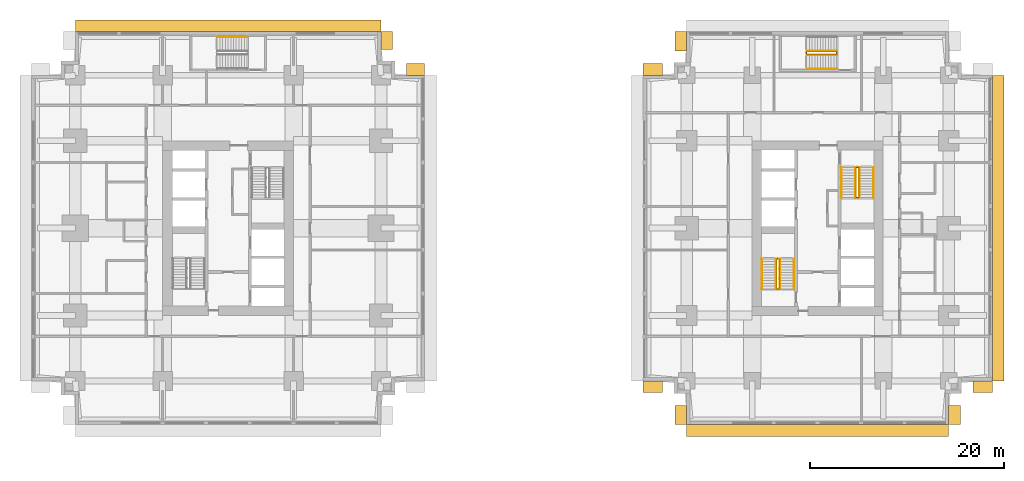
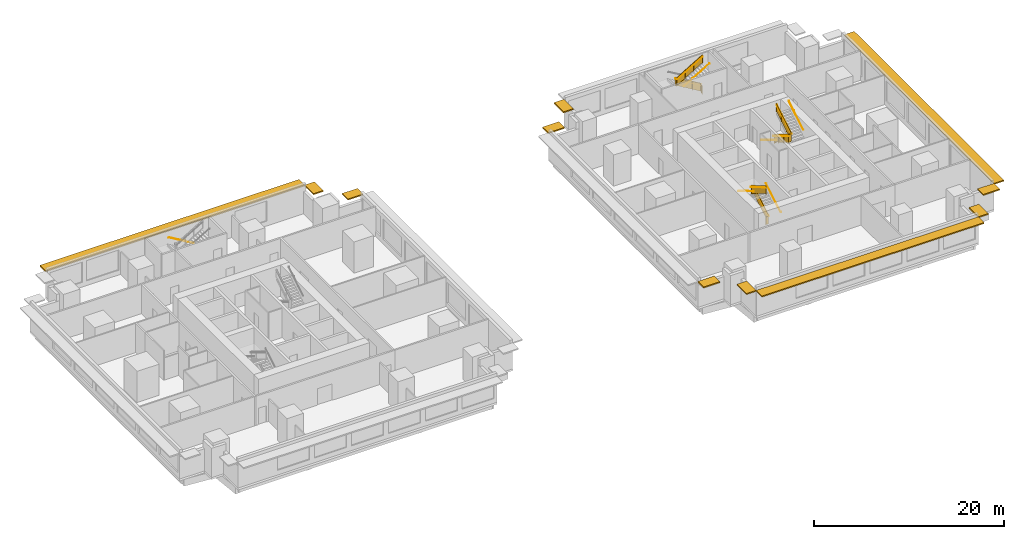
# One storey, part 10 of 11: 15 railings, 11 shading devices.
"""IFC4 building model written with IfcOpenShell, lengths in metres."""

from ifc_helpers import new_model, si_unit, direction, frame, origin, origin_2d, place, context, subcontext, project, spatial, polyline, rectangle, circle, outline, extrude, material, layer, layer_set, type_object, element, save


model = new_model("IFC4")

# Units and contexts
model_context = context("Model", 3, precision=1e-05, world=origin(), true_north=direction((0.0, 1.0)))
body_context = subcontext(model_context, "Body", "Model", "MODEL_VIEW")
ifc_project = project(units=[si_unit("LENGTHUNIT", "METRE"), si_unit("AREAUNIT", "SQUARE_METRE"), si_unit("VOLUMEUNIT", "CUBIC_METRE"), si_unit("PLANEANGLEUNIT", "RADIAN"), si_unit("MASSUNIT", "GRAM", prefix="KILO")], contexts=[model_context])

# Site, building, storey
site_placement = place(None, origin())
site = spatial("IfcSite", under=ifc_project, at=site_placement, CompositionType="ELEMENT")
building_placement = place(site_placement, origin())
building = spatial("IfcBuilding", under=site, at=building_placement, Name="Namib Vertical Campus", CompositionType="ELEMENT")
storey_placement = place(building_placement, frame((0.0, 0.0, 53.0)))
storey = spatial("IfcBuildingStorey", under=building, at=storey_placement, Name="L12", CompositionType="ELEMENT", Elevation=53.0)

# Railings
ifc_material_1 = material(Name="Steel handrail", Category="steel")
railing_type_1 = type_object("IfcRailingType", Name="Handrail 900", PredefinedType="HANDRAIL", material=ifc_material_1)
railing_1_placement = place(storey_placement, frame((78.550048828125, 14.0, 0.166748046875)))
element("IfcRailing", 1, at=railing_1_placement, inside=storey, type_object=railing_type_1, Name="Handrail HR1 B-S1 L12 1", PredefinedType="HANDRAIL", context=body_context, shape_type="SweptSolid", body=[
    extrude(circle(Radius=0.02392578125, at=origin_2d()), frame((0.0, 0.0, 0.8759765625), z_axis=(0.0, 0.859308565015, 0.511457515432), x_axis=(-1.0, 0.0, 0.0)), (0.0, 0.0, 1.0), 3.58447265625),
    extrude(circle(Radius=0.008056640625, at=origin_2d()), frame((0.0, 0.0, 0.8759765625), z_axis=(1.0, 0.0, 0.0), x_axis=(0.0, 0.0, 1.0)), (0.0, 0.0, 1.0), 0.050048828125),
    extrude(circle(Radius=0.008056640625, at=origin_2d()), frame((0.0, 1.026611328125, 1.48681640625), z_axis=(1.0, 0.0, 0.0), x_axis=(0.0, 0.0, 1.0)), (0.0, 0.0, 1.0), 0.050048828125),
    extrude(circle(Radius=0.008056640625, at=origin_2d()), frame((0.0, 2.053466796875, 2.09814453125), z_axis=(1.0, 0.0, 0.0), x_axis=(0.0, 0.0, 1.0)), (0.0, 0.0, 1.0), 0.050048828125),
    extrude(circle(Radius=0.008056640625, at=origin_2d()), frame((0.0, 3.080078125, 2.708984375), z_axis=(1.0, 0.0, 0.0), x_axis=(0.0, 0.0, 1.0)), (0.0, 0.0, 1.0), 0.050048828125),
])
railing_2_placement = place(storey_placement, frame((75.25, 17.080078125, 2.166748046875)))
element("IfcRailing", 2, at=railing_2_placement, inside=storey, type_object=railing_type_1, Name="Handrail HR1 B-S1 L12 2", PredefinedType="HANDRAIL", context=body_context, shape_type="SweptSolid", body=[
    extrude(circle(Radius=0.02392578125, at=origin_2d()), frame((0.0, 0.0, 0.8759765625), z_axis=(0.0, -0.859308565015, 0.511457515432), x_axis=(1.0, 0.0, 0.0)), (0.0, 0.0, 1.0), 3.58447265625),
    extrude(circle(Radius=0.008056640625, at=origin_2d()), frame((0.0, 0.0, 0.8759765625), z_axis=(-1.0, 0.0, 0.0), x_axis=(0.0, 0.0, 1.0)), (0.0, 0.0, 1.0), 0.050048828125),
    extrude(circle(Radius=0.008056640625, at=origin_2d()), frame((0.0, -1.026611328125, 1.48681640625), z_axis=(-1.0, 0.0, 0.0), x_axis=(0.0, 0.0, 1.0)), (0.0, 0.0, 1.0), 0.050048828125),
    extrude(circle(Radius=0.008056640625, at=origin_2d()), frame((0.0, -2.053466796875, 2.09814453125), z_axis=(-1.0, 0.0, 0.0), x_axis=(0.0, 0.0, 1.0)), (0.0, 0.0, 1.0), 0.050048828125),
    extrude(circle(Radius=0.008056640625, at=origin_2d()), frame((0.0, -3.080078125, 2.708984375), z_axis=(-1.0, 0.0, 0.0), x_axis=(0.0, 0.0, 1.0)), (0.0, 0.0, 1.0), 0.050048828125),
])
railing_3_placement = place(storey_placement, frame((77.10009765625, 14.0, 0.166748046875)))
element("IfcRailing", 3, at=railing_3_placement, inside=storey, type_object=railing_type_1, Name="Handrail HR1 B-S1 L12 1 at the well", PredefinedType="HANDRAIL", context=body_context, shape_type="SweptSolid", body=[
    extrude(circle(Radius=0.02392578125, at=origin_2d()), frame((0.0, 0.0, 0.8759765625), z_axis=(0.0, 0.859308565015, 0.511457515432), x_axis=(-1.0, 0.0, 0.0)), (0.0, 0.0, 1.0), 3.58447265625),
    extrude(circle(Radius=0.008056640625, at=origin_2d()), frame((0.0, 0.0, 0.8759765625), z_axis=(-1.0, 0.0, 0.0), x_axis=(0.0, 0.0, 1.0)), (0.0, 0.0, 1.0), 0.0400390625),
    extrude(circle(Radius=0.008056640625, at=origin_2d()), frame((0.0, 1.026611328125, 1.48681640625), z_axis=(-1.0, 0.0, 0.0), x_axis=(0.0, 0.0, 1.0)), (0.0, 0.0, 1.0), 0.0400390625),
    extrude(circle(Radius=0.008056640625, at=origin_2d()), frame((0.0, 2.053466796875, 2.09814453125), z_axis=(-1.0, 0.0, 0.0), x_axis=(0.0, 0.0, 1.0)), (0.0, 0.0, 1.0), 0.0400390625),
    extrude(circle(Radius=0.008056640625, at=origin_2d()), frame((0.0, 3.080078125, 2.708984375), z_axis=(-1.0, 0.0, 0.0), x_axis=(0.0, 0.0, 1.0)), (0.0, 0.0, 1.0), 0.0400390625),
])
railing_4_placement = place(storey_placement, frame((76.699951171875, 17.080078125, 2.166748046875)))
element("IfcRailing", 4, at=railing_4_placement, inside=storey, type_object=railing_type_1, Name="Handrail HR1 B-S1 L12 2 at the well", PredefinedType="HANDRAIL", context=body_context, shape_type="SweptSolid", body=[
    extrude(circle(Radius=0.02392578125, at=origin_2d()), frame((0.0, 0.0, 0.8759765625), z_axis=(0.0, -0.859308565015, 0.511457515432), x_axis=(1.0, 0.0, 0.0)), (0.0, 0.0, 1.0), 3.58447265625),
    extrude(circle(Radius=0.008056640625, at=origin_2d()), frame((0.0, 0.0, 0.8759765625), z_axis=(1.0, 0.0, 0.0), x_axis=(0.0, 0.0, 1.0)), (0.0, 0.0, 1.0), 0.0400390625),
    extrude(circle(Radius=0.008056640625, at=origin_2d()), frame((0.0, -1.026611328125, 1.48681640625), z_axis=(1.0, 0.0, 0.0), x_axis=(0.0, 0.0, 1.0)), (0.0, 0.0, 1.0), 0.0400390625),
    extrude(circle(Radius=0.008056640625, at=origin_2d()), frame((0.0, -2.053466796875, 2.09814453125), z_axis=(1.0, 0.0, 0.0), x_axis=(0.0, 0.0, 1.0)), (0.0, 0.0, 1.0), 0.0400390625),
    extrude(circle(Radius=0.008056640625, at=origin_2d()), frame((0.0, -3.080078125, 2.708984375), z_axis=(1.0, 0.0, 0.0), x_axis=(0.0, 0.0, 1.0)), (0.0, 0.0, 1.0), 0.0400390625),
])
railing_5_placement = place(storey_placement, frame((83.449951171875, 26.5, 0.166748046875)))
element("IfcRailing", 5, at=railing_5_placement, inside=storey, type_object=railing_type_1, Name="Handrail HR1 B-S2 L12 1", PredefinedType="HANDRAIL", context=body_context, shape_type="SweptSolid", body=[
    extrude(circle(Radius=0.02392578125, at=origin_2d()), frame((0.0, 0.0, 0.8759765625), z_axis=(0.0, -0.859308565015, 0.511457515432), x_axis=(1.0, 0.0, 0.0)), (0.0, 0.0, 1.0), 3.58447265625),
    extrude(circle(Radius=0.008056640625, at=origin_2d()), frame((0.0, 0.0, 0.8759765625), z_axis=(-1.0, 0.0, 0.0), x_axis=(0.0, 0.0, 1.0)), (0.0, 0.0, 1.0), 0.050048828125),
    extrude(circle(Radius=0.008056640625, at=origin_2d()), frame((0.0, -1.026611328125, 1.48681640625), z_axis=(-1.0, 0.0, 0.0), x_axis=(0.0, 0.0, 1.0)), (0.0, 0.0, 1.0), 0.050048828125),
    extrude(circle(Radius=0.008056640625, at=origin_2d()), frame((0.0, -2.053466796875, 2.09814453125), z_axis=(-1.0, 0.0, 0.0), x_axis=(0.0, 0.0, 1.0)), (0.0, 0.0, 1.0), 0.050048828125),
    extrude(circle(Radius=0.008056640625, at=origin_2d()), frame((0.0, -3.080078125, 2.708984375), z_axis=(-1.0, 0.0, 0.0), x_axis=(0.0, 0.0, 1.0)), (0.0, 0.0, 1.0), 0.050048828125),
])
railing_6_placement = place(storey_placement, frame((86.75, 23.419921875, 2.166748046875)))
element("IfcRailing", 6, at=railing_6_placement, inside=storey, type_object=railing_type_1, Name="Handrail HR1 B-S2 L12 2", PredefinedType="HANDRAIL", context=body_context, shape_type="SweptSolid", body=[
    extrude(circle(Radius=0.02392578125, at=origin_2d()), frame((0.0, 0.0, 0.8759765625), z_axis=(0.0, 0.859308565015, 0.511457515432), x_axis=(-1.0, 0.0, 0.0)), (0.0, 0.0, 1.0), 3.58447265625),
    extrude(circle(Radius=0.008056640625, at=origin_2d()), frame((0.0, 0.0, 0.8759765625), z_axis=(1.0, 0.0, 0.0), x_axis=(0.0, 0.0, 1.0)), (0.0, 0.0, 1.0), 0.050048828125),
    extrude(circle(Radius=0.008056640625, at=origin_2d()), frame((0.0, 1.026611328125, 1.48681640625), z_axis=(1.0, 0.0, 0.0), x_axis=(0.0, 0.0, 1.0)), (0.0, 0.0, 1.0), 0.050048828125),
    extrude(circle(Radius=0.008056640625, at=origin_2d()), frame((0.0, 2.053466796875, 2.09814453125), z_axis=(1.0, 0.0, 0.0), x_axis=(0.0, 0.0, 1.0)), (0.0, 0.0, 1.0), 0.050048828125),
    extrude(circle(Radius=0.008056640625, at=origin_2d()), frame((0.0, 3.080078125, 2.708984375), z_axis=(1.0, 0.0, 0.0), x_axis=(0.0, 0.0, 1.0)), (0.0, 0.0, 1.0), 0.050048828125),
])
railing_7_placement = place(storey_placement, frame((84.89990234375, 26.5, 0.166748046875)))
element("IfcRailing", 7, at=railing_7_placement, inside=storey, type_object=railing_type_1, Name="Handrail HR1 B-S2 L12 1 at the well", PredefinedType="HANDRAIL", context=body_context, shape_type="SweptSolid", body=[
    extrude(circle(Radius=0.02392578125, at=origin_2d()), frame((0.0, 0.0, 0.8759765625), z_axis=(0.0, -0.859308565015, 0.511457515432), x_axis=(1.0, 0.0, 0.0)), (0.0, 0.0, 1.0), 3.58447265625),
    extrude(circle(Radius=0.008056640625, at=origin_2d()), frame((0.0, 0.0, 0.8759765625), z_axis=(1.0, 0.0, 0.0), x_axis=(0.0, 0.0, 1.0)), (0.0, 0.0, 1.0), 0.0400390625),
    extrude(circle(Radius=0.008056640625, at=origin_2d()), frame((0.0, -1.026611328125, 1.48681640625), z_axis=(1.0, 0.0, 0.0), x_axis=(0.0, 0.0, 1.0)), (0.0, 0.0, 1.0), 0.0400390625),
    extrude(circle(Radius=0.008056640625, at=origin_2d()), frame((0.0, -2.053466796875, 2.09814453125), z_axis=(1.0, 0.0, 0.0), x_axis=(0.0, 0.0, 1.0)), (0.0, 0.0, 1.0), 0.0400390625),
    extrude(circle(Radius=0.008056640625, at=origin_2d()), frame((0.0, -3.080078125, 2.708984375), z_axis=(1.0, 0.0, 0.0), x_axis=(0.0, 0.0, 1.0)), (0.0, 0.0, 1.0), 0.0400390625),
])
railing_8_placement = place(storey_placement, frame((85.300048828125, 23.419921875, 2.166748046875)))
element("IfcRailing", 8, at=railing_8_placement, inside=storey, type_object=railing_type_1, Name="Handrail HR1 B-S2 L12 2 at the well", PredefinedType="HANDRAIL", context=body_context, shape_type="SweptSolid", body=[
    extrude(circle(Radius=0.02392578125, at=origin_2d()), frame((0.0, 0.0, 0.8759765625), z_axis=(0.0, 0.859308565015, 0.511457515432), x_axis=(-1.0, 0.0, 0.0)), (0.0, 0.0, 1.0), 3.58447265625),
    extrude(circle(Radius=0.008056640625, at=origin_2d()), frame((0.0, 0.0, 0.8759765625), z_axis=(-1.0, 0.0, 0.0), x_axis=(0.0, 0.0, 1.0)), (0.0, 0.0, 1.0), 0.0400390625),
    extrude(circle(Radius=0.008056640625, at=origin_2d()), frame((0.0, 1.026611328125, 1.48681640625), z_axis=(-1.0, 0.0, 0.0), x_axis=(0.0, 0.0, 1.0)), (0.0, 0.0, 1.0), 0.0400390625),
    extrude(circle(Radius=0.008056640625, at=origin_2d()), frame((0.0, 2.053466796875, 2.09814453125), z_axis=(-1.0, 0.0, 0.0), x_axis=(0.0, 0.0, 1.0)), (0.0, 0.0, 1.0), 0.0400390625),
    extrude(circle(Radius=0.008056640625, at=origin_2d()), frame((0.0, 3.080078125, 2.708984375), z_axis=(-1.0, 0.0, 0.0), x_axis=(0.0, 0.0, 1.0)), (0.0, 0.0, 1.0), 0.0400390625),
])
railing_9_placement = place(storey_placement, frame((22.199951171875, 39.949951171875, 0.166748046875)))
element("IfcRailing", 9, at=railing_9_placement, inside=storey, type_object=railing_type_1, Name="Handrail HR1 A-S3 L12 1", PredefinedType="HANDRAIL", context=body_context, shape_type="SweptSolid", body=[
    extrude(circle(Radius=0.02392578125, at=origin_2d()), frame((0.0, 0.0, 0.8759765625), z_axis=(-0.859290745958, 0.0, 0.51148745235), x_axis=(0.0, -1.0, 0.0)), (0.0, 0.0, 1.0), 3.584228515625),
    extrude(circle(Radius=0.008056640625, at=origin_2d()), frame((0.0, 0.0, 0.8759765625), z_axis=(0.0, 1.0, 0.0), x_axis=(0.0, 0.0, 1.0)), (0.0, 0.0, 1.0), 0.050048828125),
    extrude(circle(Radius=0.008056640625, at=origin_2d()), frame((-1.026611328125, 0.0, 1.48681640625), z_axis=(0.0, 1.0, 0.0), x_axis=(0.0, 0.0, 1.0)), (0.0, 0.0, 1.0), 0.050048828125),
    extrude(circle(Radius=0.008056640625, at=origin_2d()), frame((-2.05322265625, 0.0, 2.09814453125), z_axis=(0.0, 1.0, 0.0), x_axis=(0.0, 0.0, 1.0)), (0.0, 0.0, 1.0), 0.050048828125),
    extrude(circle(Radius=0.008056640625, at=origin_2d()), frame((-3.079833984375, 0.0, 2.708984375), z_axis=(0.0, 1.0, 0.0), x_axis=(0.0, 0.0, 1.0)), (0.0, 0.0, 1.0), 0.050048828125),
])
railing_10_placement = place(storey_placement, frame((79.8701171875, 36.64990234375, 2.166748046875)))
element("IfcRailing", 10, at=railing_10_placement, inside=storey, type_object=railing_type_1, Name="Handrail HR1 B-S3 L12 2", PredefinedType="HANDRAIL", context=body_context, shape_type="SweptSolid", body=[
    extrude(circle(Radius=0.02392578125, at=origin_2d()), frame((0.0, 0.0, 0.8759765625), z_axis=(0.859290745958, 0.0, 0.51148745235), x_axis=(0.0, 1.0, 0.0)), (0.0, 0.0, 1.0), 3.584228515625),
    extrude(circle(Radius=0.008056640625, at=origin_2d()), frame((0.0, 0.0, 0.8759765625), z_axis=(0.0, -1.0, 0.0), x_axis=(0.0, 0.0, 1.0)), (0.0, 0.0, 1.0), 0.050048828125),
    extrude(circle(Radius=0.008056640625, at=origin_2d()), frame((1.026611328125, 0.0, 1.48681640625), z_axis=(0.0, -1.0, 0.0), x_axis=(0.0, 0.0, 1.0)), (0.0, 0.0, 1.0), 0.050048828125),
    extrude(circle(Radius=0.008056640625, at=origin_2d()), frame((2.05322265625, 0.0, 2.09814453125), z_axis=(0.0, -1.0, 0.0), x_axis=(0.0, 0.0, 1.0)), (0.0, 0.0, 1.0), 0.050048828125),
    extrude(circle(Radius=0.008056640625, at=origin_2d()), frame((3.079833984375, 0.0, 2.708984375), z_axis=(0.0, -1.0, 0.0), x_axis=(0.0, 0.0, 1.0)), (0.0, 0.0, 1.0), 0.050048828125),
])
railing_11_placement = place(storey_placement, frame((82.949951171875, 38.5, 0.166748046875)))
element("IfcRailing", 11, at=railing_11_placement, inside=storey, type_object=railing_type_1, Name="Handrail HR1 B-S3 L12 1 at the well", PredefinedType="HANDRAIL", context=body_context, shape_type="SweptSolid", body=[
    extrude(circle(Radius=0.02392578125, at=origin_2d()), frame((0.0, 0.0, 0.8759765625), z_axis=(-0.859290745958, 0.0, 0.51148745235), x_axis=(0.0, -1.0, 0.0)), (0.0, 0.0, 1.0), 3.584228515625),
    extrude(circle(Radius=0.008056640625, at=origin_2d()), frame((0.0, 0.0, 0.8759765625), z_axis=(0.0, -1.0, 0.0), x_axis=(0.0, 0.0, 1.0)), (0.0, 0.0, 1.0), 0.0400390625),
    extrude(circle(Radius=0.008056640625, at=origin_2d()), frame((-1.026611328125, 0.0, 1.48681640625), z_axis=(0.0, -1.0, 0.0), x_axis=(0.0, 0.0, 1.0)), (0.0, 0.0, 1.0), 0.0400390625),
    extrude(circle(Radius=0.008056640625, at=origin_2d()), frame((-2.05322265625, 0.0, 2.09814453125), z_axis=(0.0, -1.0, 0.0), x_axis=(0.0, 0.0, 1.0)), (0.0, 0.0, 1.0), 0.0400390625),
    extrude(circle(Radius=0.008056640625, at=origin_2d()), frame((-3.079833984375, 0.0, 2.708984375), z_axis=(0.0, -1.0, 0.0), x_axis=(0.0, 0.0, 1.0)), (0.0, 0.0, 1.0), 0.0400390625),
])
railing_12_placement = place(storey_placement, frame((79.8701171875, 38.10009765625, 2.166748046875)))
element("IfcRailing", 12, at=railing_12_placement, inside=storey, type_object=railing_type_1, Name="Handrail HR1 B-S3 L12 2 at the well", PredefinedType="HANDRAIL", context=body_context, shape_type="SweptSolid", body=[
    extrude(circle(Radius=0.02392578125, at=origin_2d()), frame((0.0, 0.0, 0.8759765625), z_axis=(0.859290745958, 0.0, 0.51148745235), x_axis=(0.0, 1.0, 0.0)), (0.0, 0.0, 1.0), 3.584228515625),
    extrude(circle(Radius=0.008056640625, at=origin_2d()), frame((0.0, 0.0, 0.8759765625), z_axis=(0.0, 1.0, 0.0), x_axis=(0.0, 0.0, 1.0)), (0.0, 0.0, 1.0), 0.0400390625),
    extrude(circle(Radius=0.008056640625, at=origin_2d()), frame((1.026611328125, 0.0, 1.48681640625), z_axis=(0.0, 1.0, 0.0), x_axis=(0.0, 0.0, 1.0)), (0.0, 0.0, 1.0), 0.0400390625),
    extrude(circle(Radius=0.008056640625, at=origin_2d()), frame((2.05322265625, 0.0, 2.09814453125), z_axis=(0.0, 1.0, 0.0), x_axis=(0.0, 0.0, 1.0)), (0.0, 0.0, 1.0), 0.0400390625),
    extrude(circle(Radius=0.008056640625, at=origin_2d()), frame((3.079833984375, 0.0, 2.708984375), z_axis=(0.0, 1.0, 0.0), x_axis=(0.0, 0.0, 1.0)), (0.0, 0.0, 1.0), 0.0400390625),
])
ifc_material_2 = material(Name="Steel balustrade", Category="steel")
railing_type_2 = type_object("IfcRailingType", Name="Stair guard 1100", PredefinedType="GUARDRAIL", material=ifc_material_2)
railing_13_placement = place(storey_placement, frame((76.75, 14.0, 0.0)))
element("IfcRailing", 13, at=railing_13_placement, inside=storey, type_object=railing_type_2, Name="Stair guard GR1 B-S1 L12", PredefinedType="GUARDRAIL", context=body_context, shape_type="SweptSolid", body=[
    extrude(circle(Radius=0.02392578125, at=origin_2d()), frame((0.0, 0.0, 1.076171875), z_axis=(1.0, 0.0, 0.0), x_axis=(0.0, 1.0, 0.0)), (0.0, 0.0, 1.0), 0.300048828125),
    extrude(outline(polyline([(0.02099609375, 0.050048828125), (0.279052734375, 0.050048828125), (0.279052734375, 1.052001953125), (0.02099609375, 1.052001953125), (0.02099609375, 0.050048828125)])), frame((0.0, 0.010009765625, 0.0), z_axis=(0.0, -1.0, 0.0), x_axis=(1.0, 0.0, 0.0)), (0.0, 0.0, 1.0), 0.02001953125),
    extrude(circle(Radius=0.02392578125, at=origin_2d()), frame((0.300048828125, 0.0, 1.076171875), z_axis=(0.0, 0.0, 1.0), x_axis=(1.0, 0.0, 0.0)), (0.0, 0.0, 1.0), 0.166748046875),
    extrude(circle(Radius=0.02392578125, at=origin_2d()), frame((0.300048828125, 0.0, 1.24267578125), z_axis=(0.0, 0.859308565015, 0.511457515432), x_axis=(-1.0, 0.0, 0.0)), (0.0, 0.0, 1.0), 3.58447265625),
    extrude(outline(polyline([(0.02099609375, 0.0625), (3.05908203125, 1.870849609375), (3.05908203125, 2.872802734375), (0.02099609375, 1.064453125), (0.02099609375, 0.0625)])), frame((0.2900390625, 0.0, 0.166748046875), z_axis=(1.0, 0.0, 0.0), x_axis=(0.0, 1.0, 0.0)), (0.0, 0.0, 1.0), 0.02001953125),
    extrude(circle(Radius=0.02392578125, at=origin_2d()), frame((0.300048828125, 3.080078125, 3.076171875), z_axis=(-1.0, 0.0, 0.0), x_axis=(0.0, -1.0, 0.0)), (0.0, 0.0, 1.0), 0.300048828125),
    extrude(outline(polyline([(0.02099609375, 0.050048828125), (0.279052734375, 0.050048828125), (0.279052734375, 1.052001953125), (0.02099609375, 1.052001953125), (0.02099609375, 0.050048828125)])), frame((0.300048828125, 3.070068359375, 2.0), z_axis=(0.0, 1.0, 0.0), x_axis=(-1.0, 0.0, 0.0)), (0.0, 0.0, 1.0), 0.02001953125),
    extrude(circle(Radius=0.02392578125, at=origin_2d()), frame((0.0, 3.080078125, 3.076171875), z_axis=(0.0, 0.0, 1.0), x_axis=(1.0, 0.0, 0.0)), (0.0, 0.0, 1.0), 0.166748046875),
    extrude(circle(Radius=0.02392578125, at=origin_2d()), frame((0.0, 3.080078125, 3.24267578125), z_axis=(0.0, -0.859308565015, 0.511457515432), x_axis=(1.0, 0.0, 0.0)), (0.0, 0.0, 1.0), 3.58447265625),
    extrude(outline(polyline([(0.02099609375, 0.0625), (3.05908203125, 1.870849609375), (3.05908203125, 2.872802734375), (0.02099609375, 1.064453125), (0.02099609375, 0.0625)])), frame((0.010009765625, 3.080078125, 2.166748046875), z_axis=(-1.0, 0.0, 0.0), x_axis=(0.0, -1.0, 0.0)), (0.0, 0.0, 1.0), 0.02001953125),
    extrude(circle(Radius=0.02392578125, at=origin_2d()), frame((0.0, 0.0, 5.076171875), z_axis=(0.0, -1.0, 0.0), x_axis=(1.0, 0.0, 0.0)), (0.0, 0.0, 1.0), 0.050048828125),
    extrude(outline(polyline([(0.02099609375, 0.050048828125), (0.029052734375, 0.050048828125), (0.029052734375, 1.052001953125), (0.02099609375, 1.052001953125), (0.02099609375, 0.050048828125)])), frame((0.010009765625, 0.0, 4.0), z_axis=(-1.0, 0.0, 0.0), x_axis=(0.0, -1.0, 0.0)), (0.0, 0.0, 1.0), 0.02001953125),
    extrude(circle(Radius=0.02099609375, at=origin_2d()), origin(), (0.0, 0.0, 1.0), 1.052001953125),
    extrude(circle(Radius=0.02099609375, at=origin_2d()), frame((0.300048828125, 0.0, 0.166748046875)), (0.0, 0.0, 1.0), 1.052001953125),
    extrude(circle(Radius=0.02099609375, at=origin_2d()), frame((0.300048828125, 1.026611328125, 0.666748046875)), (0.0, 0.0, 1.0), 1.1630859375),
    extrude(circle(Radius=0.02099609375, at=origin_2d()), frame((0.300048828125, 2.053466796875, 1.33349609375)), (0.0, 0.0, 1.0), 1.107421875),
    extrude(circle(Radius=0.02099609375, at=origin_2d()), frame((0.300048828125, 3.080078125, 2.0)), (0.0, 0.0, 1.0), 1.052001953125),
    extrude(circle(Radius=0.02099609375, at=origin_2d()), frame((0.0, 3.080078125, 2.166748046875)), (0.0, 0.0, 1.0), 1.052001953125),
    extrude(circle(Radius=0.02099609375, at=origin_2d()), frame((0.0, 2.053466796875, 2.666748046875)), (0.0, 0.0, 1.0), 1.1630859375),
    extrude(circle(Radius=0.02099609375, at=origin_2d()), frame((0.0, 1.026611328125, 3.33349609375)), (0.0, 0.0, 1.0), 1.107421875),
    extrude(circle(Radius=0.02099609375, at=origin_2d()), frame((0.0, 0.0, 4.0)), (0.0, 0.0, 1.0), 1.052001953125),
    extrude(circle(Radius=0.02099609375, at=origin_2d()), frame((0.0, -0.050048828125, 4.0)), (0.0, 0.0, 1.0), 1.052001953125),
])
railing_14_placement = place(storey_placement, frame((85.25, 26.5, 0.0)))
element("IfcRailing", 14, at=railing_14_placement, inside=storey, type_object=railing_type_2, Name="Stair guard GR1 B-S2 L12", PredefinedType="GUARDRAIL", context=body_context, shape_type="SweptSolid", body=[
    extrude(circle(Radius=0.02392578125, at=origin_2d()), frame((0.0, 0.0, 1.076171875), z_axis=(-1.0, 0.0, 0.0), x_axis=(0.0, -1.0, 0.0)), (0.0, 0.0, 1.0), 0.300048828125),
    extrude(outline(polyline([(0.02099609375, 0.050048828125), (0.279052734375, 0.050048828125), (0.279052734375, 1.052001953125), (0.02099609375, 1.052001953125), (0.02099609375, 0.050048828125)])), frame((0.0, -0.010009765625, 0.0), z_axis=(0.0, 1.0, 0.0), x_axis=(-1.0, 0.0, 0.0)), (0.0, 0.0, 1.0), 0.02001953125),
    extrude(circle(Radius=0.02392578125, at=origin_2d()), frame((-0.300048828125, 0.0, 1.076171875), z_axis=(0.0, 0.0, 1.0), x_axis=(1.0, 0.0, 0.0)), (0.0, 0.0, 1.0), 0.166748046875),
    extrude(circle(Radius=0.02392578125, at=origin_2d()), frame((-0.300048828125, 0.0, 1.24267578125), z_axis=(0.0, -0.859308565015, 0.511457515432), x_axis=(1.0, 0.0, 0.0)), (0.0, 0.0, 1.0), 3.58447265625),
    extrude(outline(polyline([(0.02099609375, 0.0625), (3.05908203125, 1.870849609375), (3.05908203125, 2.872802734375), (0.02099609375, 1.064453125), (0.02099609375, 0.0625)])), frame((-0.2900390625, 0.0, 0.166748046875), z_axis=(-1.0, 0.0, 0.0), x_axis=(0.0, -1.0, 0.0)), (0.0, 0.0, 1.0), 0.02001953125),
    extrude(circle(Radius=0.02392578125, at=origin_2d()), frame((-0.300048828125, -3.080078125, 3.076171875), z_axis=(1.0, 0.0, 0.0), x_axis=(0.0, 1.0, 0.0)), (0.0, 0.0, 1.0), 0.300048828125),
    extrude(outline(polyline([(0.02099609375, 0.050048828125), (0.279052734375, 0.050048828125), (0.279052734375, 1.052001953125), (0.02099609375, 1.052001953125), (0.02099609375, 0.050048828125)])), frame((-0.300048828125, -3.070068359375, 2.0), z_axis=(0.0, -1.0, 0.0), x_axis=(1.0, 0.0, 0.0)), (0.0, 0.0, 1.0), 0.02001953125),
    extrude(circle(Radius=0.02392578125, at=origin_2d()), frame((0.0, -3.080078125, 3.076171875), z_axis=(0.0, 0.0, 1.0), x_axis=(1.0, 0.0, 0.0)), (0.0, 0.0, 1.0), 0.166748046875),
    extrude(circle(Radius=0.02392578125, at=origin_2d()), frame((0.0, -3.080078125, 3.24267578125), z_axis=(0.0, 0.859308565015, 0.511457515432), x_axis=(-1.0, 0.0, 0.0)), (0.0, 0.0, 1.0), 3.58447265625),
    extrude(outline(polyline([(0.02099609375, 0.0625), (3.05908203125, 1.870849609375), (3.05908203125, 2.872802734375), (0.02099609375, 1.064453125), (0.02099609375, 0.0625)])), frame((-0.010009765625, -3.080078125, 2.166748046875), z_axis=(1.0, 0.0, 0.0), x_axis=(0.0, 1.0, 0.0)), (0.0, 0.0, 1.0), 0.02001953125),
    extrude(circle(Radius=0.02392578125, at=origin_2d()), frame((0.0, 0.0, 5.076171875), z_axis=(0.0, 1.0, 0.0), x_axis=(-1.0, 0.0, 0.0)), (0.0, 0.0, 1.0), 0.050048828125),
    extrude(outline(polyline([(0.02099609375, 0.050048828125), (0.029052734375, 0.050048828125), (0.029052734375, 1.052001953125), (0.02099609375, 1.052001953125), (0.02099609375, 0.050048828125)])), frame((-0.010009765625, 0.0, 4.0), z_axis=(1.0, 0.0, 0.0), x_axis=(0.0, 1.0, 0.0)), (0.0, 0.0, 1.0), 0.02001953125),
    extrude(circle(Radius=0.02099609375, at=origin_2d()), origin(), (0.0, 0.0, 1.0), 1.052001953125),
    extrude(circle(Radius=0.02099609375, at=origin_2d()), frame((-0.300048828125, 0.0, 0.166748046875)), (0.0, 0.0, 1.0), 1.052001953125),
    extrude(circle(Radius=0.02099609375, at=origin_2d()), frame((-0.300048828125, -1.026611328125, 0.666748046875)), (0.0, 0.0, 1.0), 1.1630859375),
    extrude(circle(Radius=0.02099609375, at=origin_2d()), frame((-0.300048828125, -2.053466796875, 1.33349609375)), (0.0, 0.0, 1.0), 1.107421875),
    extrude(circle(Radius=0.02099609375, at=origin_2d()), frame((-0.300048828125, -3.080078125, 2.0)), (0.0, 0.0, 1.0), 1.052001953125),
    extrude(circle(Radius=0.02099609375, at=origin_2d()), frame((0.0, -3.080078125, 2.166748046875)), (0.0, 0.0, 1.0), 1.052001953125),
    extrude(circle(Radius=0.02099609375, at=origin_2d()), frame((0.0, -2.053466796875, 2.666748046875)), (0.0, 0.0, 1.0), 1.1630859375),
    extrude(circle(Radius=0.02099609375, at=origin_2d()), frame((0.0, -1.026611328125, 3.33349609375)), (0.0, 0.0, 1.0), 1.107421875),
    extrude(circle(Radius=0.02099609375, at=origin_2d()), frame((0.0, 0.0, 4.0)), (0.0, 0.0, 1.0), 1.052001953125),
    extrude(circle(Radius=0.02099609375, at=origin_2d()), frame((0.0, 0.050048828125, 4.0)), (0.0, 0.0, 1.0), 1.052001953125),
])
railing_15_placement = place(storey_placement, frame((82.949951171875, 38.14990234375, 0.0)))
element("IfcRailing", 15, at=railing_15_placement, inside=storey, type_object=railing_type_2, Name="Stair guard GR1 B-S3 L12", PredefinedType="GUARDRAIL", context=body_context, shape_type="SweptSolid", body=[
    extrude(circle(Radius=0.02392578125, at=origin_2d()), frame((0.0, 0.0, 1.076171875), z_axis=(0.0, 1.0, 0.0), x_axis=(-1.0, 0.0, 0.0)), (0.0, 0.0, 1.0), 0.300048828125),
    extrude(outline(polyline([(0.02099609375, 0.050048828125), (0.279052734375, 0.050048828125), (0.279052734375, 1.052001953125), (0.02099609375, 1.052001953125), (0.02099609375, 0.050048828125)])), frame((-0.010009765625, 0.0, 0.0), z_axis=(1.0, 0.0, 0.0), x_axis=(0.0, 1.0, 0.0)), (0.0, 0.0, 1.0), 0.02001953125),
    extrude(circle(Radius=0.02392578125, at=origin_2d()), frame((0.0, 0.300048828125, 1.076171875), z_axis=(0.0, 0.0, 1.0), x_axis=(1.0, 0.0, 0.0)), (0.0, 0.0, 1.0), 0.166748046875),
    extrude(circle(Radius=0.02392578125, at=origin_2d()), frame((0.0, 0.300048828125, 1.24267578125), z_axis=(-0.859290745958, 0.0, 0.51148745235), x_axis=(0.0, -1.0, 0.0)), (0.0, 0.0, 1.0), 3.584228515625),
    extrude(outline(polyline([(0.02099609375, 0.0625), (3.058837890625, 1.870849609375), (3.058837890625, 2.872802734375), (0.02099609375, 1.064453125), (0.02099609375, 0.0625)])), frame((0.0, 0.2900390625, 0.166748046875), z_axis=(0.0, 1.0, 0.0), x_axis=(-1.0, 0.0, 0.0)), (0.0, 0.0, 1.0), 0.02001953125),
    extrude(circle(Radius=0.02392578125, at=origin_2d()), frame((-3.079833984375, 0.300048828125, 3.076171875), z_axis=(0.0, -1.0, 0.0), x_axis=(1.0, 0.0, 0.0)), (0.0, 0.0, 1.0), 0.300048828125),
    extrude(outline(polyline([(0.02099609375, 0.050048828125), (0.279052734375, 0.050048828125), (0.279052734375, 1.052001953125), (0.02099609375, 1.052001953125), (0.02099609375, 0.050048828125)])), frame((-3.06982421875, 0.300048828125, 2.0), z_axis=(-1.0, 0.0, 0.0), x_axis=(0.0, -1.0, 0.0)), (0.0, 0.0, 1.0), 0.02001953125),
    extrude(circle(Radius=0.02392578125, at=origin_2d()), frame((-3.079833984375, 0.0, 3.076171875), z_axis=(0.0, 0.0, 1.0), x_axis=(1.0, 0.0, 0.0)), (0.0, 0.0, 1.0), 0.166748046875),
    extrude(circle(Radius=0.02392578125, at=origin_2d()), frame((-3.079833984375, 0.0, 3.24267578125), z_axis=(0.859290745958, 0.0, 0.51148745235), x_axis=(0.0, 1.0, 0.0)), (0.0, 0.0, 1.0), 3.584228515625),
    extrude(outline(polyline([(0.02099609375, 0.0625), (3.058837890625, 1.870849609375), (3.058837890625, 2.872802734375), (0.02099609375, 1.064453125), (0.02099609375, 0.0625)])), frame((-3.079833984375, 0.010009765625, 2.166748046875), z_axis=(0.0, -1.0, 0.0), x_axis=(1.0, 0.0, 0.0)), (0.0, 0.0, 1.0), 0.02001953125),
    extrude(circle(Radius=0.02392578125, at=origin_2d()), frame((0.0, 0.0, 5.076171875), z_axis=(1.0, 0.0, 0.0), x_axis=(0.0, 1.0, 0.0)), (0.0, 0.0, 1.0), 0.050048828125),
    extrude(outline(polyline([(0.02099609375, 0.050048828125), (0.029052734375, 0.050048828125), (0.029052734375, 1.052001953125), (0.02099609375, 1.052001953125), (0.02099609375, 0.050048828125)])), frame((0.0, 0.010009765625, 4.0), z_axis=(0.0, -1.0, 0.0), x_axis=(1.0, 0.0, 0.0)), (0.0, 0.0, 1.0), 0.02001953125),
    extrude(circle(Radius=0.02099609375, at=origin_2d()), origin(), (0.0, 0.0, 1.0), 1.052001953125),
    extrude(circle(Radius=0.02099609375, at=origin_2d()), frame((0.0, 0.300048828125, 0.166748046875)), (0.0, 0.0, 1.0), 1.052001953125),
    extrude(circle(Radius=0.02099609375, at=origin_2d()), frame((-1.026611328125, 0.300048828125, 0.666748046875)), (0.0, 0.0, 1.0), 1.1630859375),
    extrude(circle(Radius=0.02099609375, at=origin_2d()), frame((-2.05322265625, 0.300048828125, 1.33349609375)), (0.0, 0.0, 1.0), 1.107421875),
    extrude(circle(Radius=0.02099609375, at=origin_2d()), frame((-3.079833984375, 0.300048828125, 2.0)), (0.0, 0.0, 1.0), 1.052001953125),
    extrude(circle(Radius=0.02099609375, at=origin_2d()), frame((-3.079833984375, 0.0, 2.166748046875)), (0.0, 0.0, 1.0), 1.052001953125),
    extrude(circle(Radius=0.02099609375, at=origin_2d()), frame((-2.05322265625, 0.0, 2.666748046875)), (0.0, 0.0, 1.0), 1.1630859375),
    extrude(circle(Radius=0.02099609375, at=origin_2d()), frame((-1.026611328125, 0.0, 3.33349609375)), (0.0, 0.0, 1.0), 1.107421875),
    extrude(circle(Radius=0.02099609375, at=origin_2d()), frame((0.0, 0.0, 4.0)), (0.0, 0.0, 1.0), 1.052001953125),
    extrude(circle(Radius=0.02099609375, at=origin_2d()), frame((0.050048828125, 0.0, 4.0)), (0.0, 0.0, 1.0), 1.052001953125),
])

# Shading devices
ifc_material_3 = material(Name="Concrete C40/50 precast", Category="concrete")
ifc_layer = layer(ifc_material_3, 0.14990234375)
ifc_layer_set = layer_set([ifc_layer], Name="Concrete C40/50 precast")
shading_device_type = type_object("IfcShadingDeviceType", Name="Sunshade hood 1200", PredefinedType="SHUTTER", material=ifc_layer_set)
for number, where, z_axis, x_axis, name in (
    (16, (39.574951171875, 36.60009765625, 3.199951171875), (0.0, 0.0, 1.0), (-1.0, 0.0, 0.0), "Sunshade SH2 L12 7"),
    (17, (36.60009765625, 39.574951171875, 3.199951171875), (0.0, 0.0, 1.0), (0.0, 1.0, 0.0), "Sunshade SH2 L12 10"),
):
    element("IfcShadingDevice", number, at=place(storey_placement, frame(where, z_axis=z_axis, x_axis=x_axis)), inside=storey, type_object=shading_device_type, Name=name, PredefinedType="SHUTTER", context=body_context, shape_type="SweptSolid", body=[
        extrude(rectangle(XDim=1.85009765625, YDim=1.199951171875, at=origin_2d()), origin(), (0.0, 0.0, 1.0), 0.14990234375),
    ])
shading_device_1_placement = place(storey_placement, frame((20.25, 41.10009765625, 3.199951171875), z_axis=(0.0, 0.0, 1.0), x_axis=(-1.0, 0.0, 0.0)))
element("IfcShadingDevice", 18, at=shading_device_1_placement, inside=storey, type_object=shading_device_type, Name="Sunshade SH2 L12 11", PredefinedType="SHUTTER", context=body_context, shape_type="SweptSolid", body=[
    extrude(rectangle(XDim=31.5, YDim=1.199951171875, at=origin_2d()), origin(), (0.0, 0.0, 1.0), 0.14990234375),
])
shading_device_2_placement = place(storey_placement, frame((81.0, -0.60009765625, 3.199951171875), z_axis=(0.0, 0.0, 1.0), x_axis=(1.0, 0.0, 0.0)))
element("IfcShadingDevice", 19, at=shading_device_2_placement, inside=storey, type_object=shading_device_type, Name="Sunshade SH2 L12 1", PredefinedType="SHUTTER", context=body_context, shape_type="SweptSolid", body=[
    extrude(rectangle(XDim=27.0, YDim=1.199951171875, at=origin_2d()), origin(), (0.0, 0.0, 1.0), 0.14990234375),
])
for number, where, z_axis, x_axis, name in (
    (20, (95.10009765625, 1.0, 3.199951171875), (0.0, 0.0, 1.0), (0.0, 1.0, 0.0), "Sunshade SH2 L12 2"),
    (21, (98.0, 3.89990234375, 3.199951171875), (0.0, 0.0, 1.0), (1.0, 0.0, 0.0), "Sunshade SH2 L12 5"),
):
    element("IfcShadingDevice", number, at=place(storey_placement, frame(where, z_axis=z_axis, x_axis=x_axis)), inside=storey, type_object=shading_device_type, Name=name, PredefinedType="SHUTTER", context=body_context, shape_type="SweptSolid", body=[
        extrude(rectangle(XDim=2.0, YDim=1.199951171875, at=origin_2d()), origin(), (0.0, 0.0, 1.0), 0.14990234375),
    ])
shading_device_3_placement = place(storey_placement, frame((99.60009765625, 20.25, 3.199951171875), z_axis=(0.0, 0.0, 1.0), x_axis=(0.0, 1.0, 0.0)))
element("IfcShadingDevice", 22, at=shading_device_3_placement, inside=storey, type_object=shading_device_type, Name="Sunshade SH2 L12 6", PredefinedType="SHUTTER", context=body_context, shape_type="SweptSolid", body=[
    extrude(rectangle(XDim=31.5, YDim=1.199951171875, at=origin_2d()), origin(), (0.0, 0.0, 1.0), 0.14990234375),
])
for number, where, z_axis, x_axis, name in (
    (23, (66.89990234375, 39.5, 3.199951171875), (0.0, 0.0, 1.0), (0.0, -1.0, 0.0), "Sunshade SH2 L12 12"),
    (24, (64.0, 36.60009765625, 3.199951171875), (0.0, 0.0, 1.0), (-1.0, 0.0, 0.0), "Sunshade SH2 L12 15"),
    (25, (64.0, 3.89990234375, 3.199951171875), (0.0, 0.0, 1.0), (1.0, 0.0, 0.0), "Sunshade SH2 L12 17"),
    (26, (66.89990234375, 1.0, 3.199951171875), (0.0, 0.0, 1.0), (0.0, -1.0, 0.0), "Sunshade SH2 L12 20"),
):
    element("IfcShadingDevice", number, at=place(storey_placement, frame(where, z_axis=z_axis, x_axis=x_axis)), inside=storey, type_object=shading_device_type, Name=name, PredefinedType="SHUTTER", context=body_context, shape_type="SweptSolid", body=[
        extrude(rectangle(XDim=2.0, YDim=1.199951171875, at=origin_2d()), origin(), (0.0, 0.0, 1.0), 0.14990234375),
    ])

save(model, "model.ifc")
